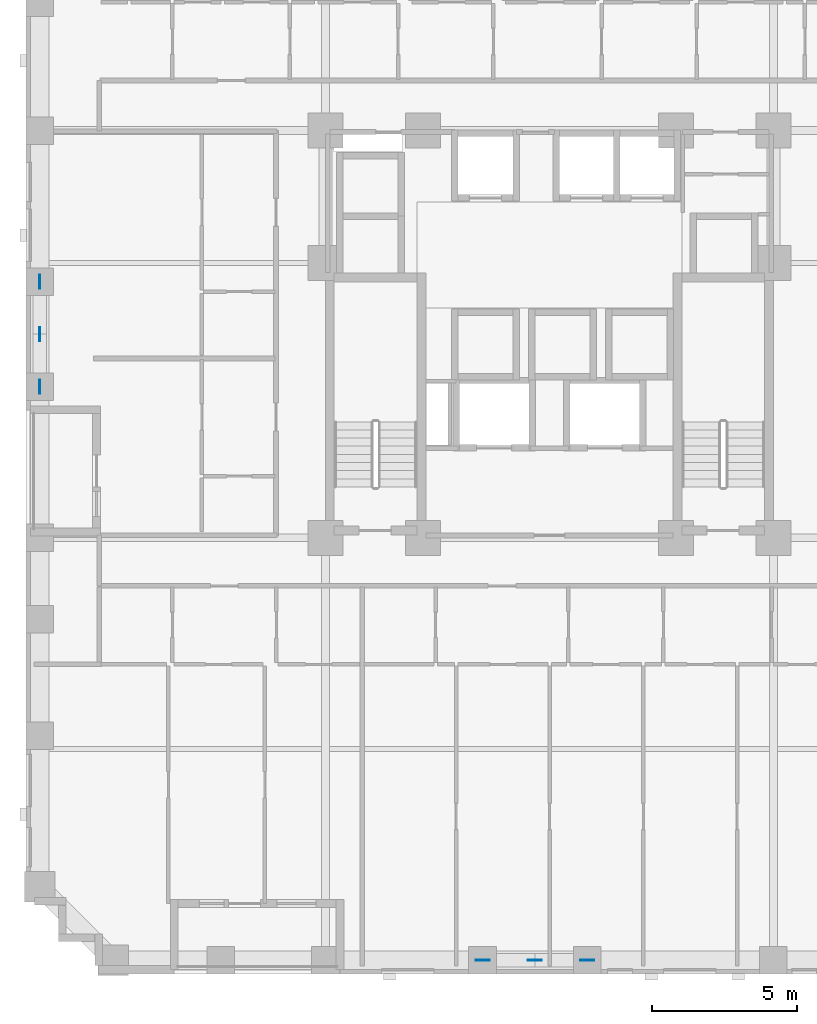
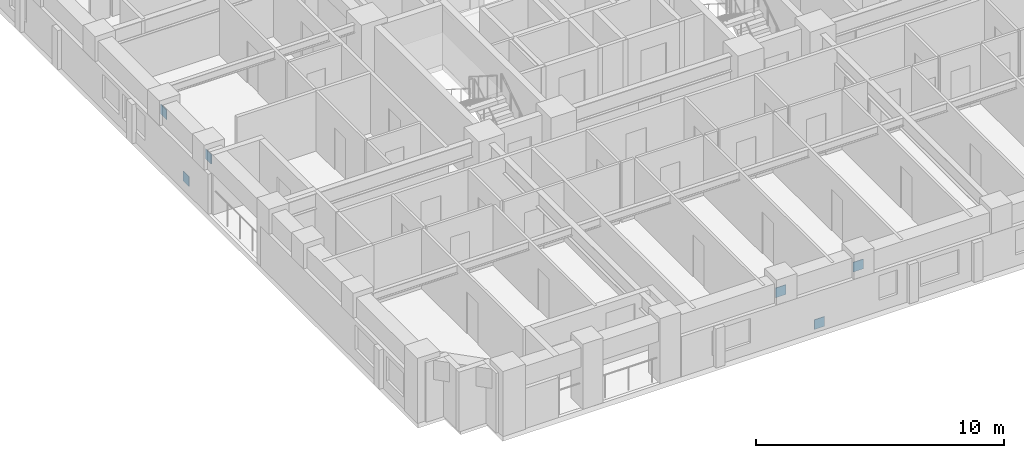
# One storey, part 10 of 14: 6 discrete accessories.
"""IFC4 building model written with IfcOpenShell, lengths in metres."""

from ifc_helpers import new_model, si_unit, derived_unit, direction, frame, origin, origin_2d, place, context, subcontext, project, spatial, rectangle, extrude, material, layer, layer_set, type_object, element, save


model = new_model("IFC4")

# Units and contexts
model_context = context("Model", 3, precision=1e-05, world=origin(), true_north=direction((0.0, 1.0)))
body_context = subcontext(model_context, "Body", "Model", "MODEL_VIEW")
ifc_project = project(units=[si_unit("LENGTHUNIT", "METRE"), si_unit("AREAUNIT", "SQUARE_METRE"), si_unit("VOLUMEUNIT", "CUBIC_METRE"), si_unit("PLANEANGLEUNIT", "RADIAN"), si_unit("MASSUNIT", "GRAM", prefix="KILO"), derived_unit("THERMALTRANSMITTANCEUNIT", [(si_unit("MASSUNIT", "GRAM", prefix="KILO"), 1), (si_unit("TIMEUNIT", "SECOND"), -3), (si_unit("THERMODYNAMICTEMPERATUREUNIT", "KELVIN"), -1)])], contexts=[model_context])

# Site, building, storey
site_placement = place(None, origin())
site = spatial("IfcSite", under=ifc_project, at=site_placement, CompositionType="ELEMENT")
building_placement = place(site_placement, origin())
building = spatial("IfcBuilding", under=site, at=building_placement, Name="Korrvale Station Residences", CompositionType="ELEMENT")
storey_placement = place(building_placement, frame((0.0, 0.0, 38.60009765625)))
storey = spatial("IfcBuildingStorey", under=building, at=storey_placement, Name="L09", CompositionType="ELEMENT", Elevation=38.60009765625)

# Discrete accessories
ifc_material = material(Name="Steel S355", Category="steel")
ifc_layer = layer(ifc_material, 0.02490234375, Name="Steel S355")
ifc_layer_set = layer_set([ifc_layer], Name="Steel S355")
discrete_accessory_type = type_object("IfcDiscreteAccessoryType", Name="ACC-GUSSET-25", PredefinedType="BRACKET", material=ifc_layer_set)
for number, where, z_axis, x_axis, name in (
    (1, (25.0, 0.47998046875, -0.219970703125), (0.0, 0.0, 1.0), (1.0, 0.0, 0.0), "L09 S Brace End Gusset Connection M"),
    (2, (23.199951171875, 0.47998046875, 1.969970703125), (0.0, 0.0, 1.0), (1.0, 0.0, 0.0), "L09 S Brace End Gusset Connection A"),
    (3, (26.800048828125, 0.47998046875, 1.969970703125), (0.0, 0.0, 1.0), (1.0, 0.0, 0.0), "L09 S Brace End Gusset Connection B"),
    (4, (7.97998046875, 22.0, -0.219970703125), (0.0, 0.0, 1.0), (0.0, 1.0, 0.0), "L09 W Brace End Gusset Connection M"),
    (5, (7.97998046875, 20.199951171875, 1.969970703125), (0.0, 0.0, 1.0), (0.0, 1.0, 0.0), "L09 W Brace End Gusset Connection A"),
    (6, (7.97998046875, 23.800048828125, 1.969970703125), (0.0, 0.0, 1.0), (0.0, 1.0, 0.0), "L09 W Brace End Gusset Connection B"),
):
    element("IfcDiscreteAccessory", number, at=place(storey_placement, frame(where, z_axis=z_axis, x_axis=x_axis)), inside=storey, type_object=discrete_accessory_type, Name=name, PredefinedType="BRACKET", context=body_context, shape_type="SweptSolid", body=[
        extrude(rectangle(XDim=0.47998046875, YDim=0.02490234375, at=origin_2d()), origin(), (0.0, 0.0, 1.0), 0.47998046875),
    ])

save(model, "model.ifc")
